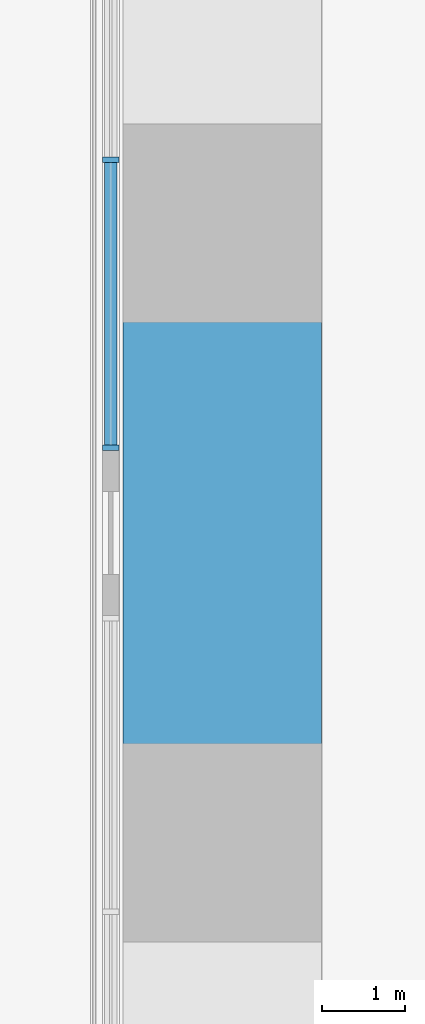
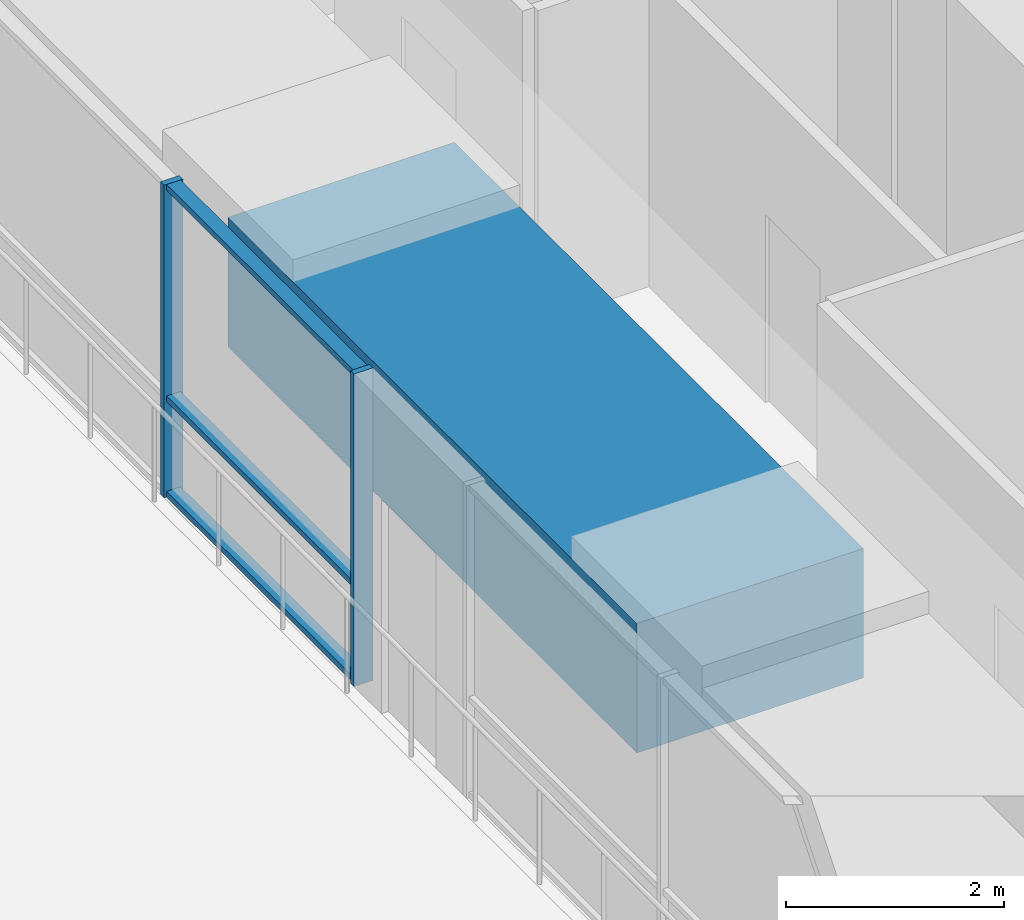
# One storey, part 3 of 17: 5 members, 1 beam, 1 element without a shape of its own.
"""IFC4 building model written with IfcOpenShell, lengths in metres."""

from ifc_helpers import new_model, si_unit, direction, frame, origin, origin_2d, place, context, subcontext, project, spatial, rectangle, extrude, material, material_profile, profile_set, type_object, element, aggregate, save


model = new_model("IFC4")

# Units and contexts
model_context = context("Model", 3, precision=1e-05, world=origin(), true_north=direction((0.0, 1.0)))
body_context = subcontext(model_context, "Body", "Model", "MODEL_VIEW")
ifc_project = project(units=[si_unit("LENGTHUNIT", "METRE"), si_unit("AREAUNIT", "SQUARE_METRE"), si_unit("VOLUMEUNIT", "CUBIC_METRE"), si_unit("PLANEANGLEUNIT", "RADIAN"), si_unit("MASSUNIT", "GRAM", prefix="KILO")], contexts=[model_context])

# Site, building, storey
site_placement = place(None, origin())
site = spatial("IfcSite", under=ifc_project, at=site_placement, CompositionType="ELEMENT")
building_placement = place(site_placement, origin())
building = spatial("IfcBuilding", under=site, at=building_placement, Name="Sheger Commons Tower", CompositionType="ELEMENT")
storey_placement = place(building_placement, frame((0.0, 0.0, 193.699951171875)))
storey = spatial("IfcBuildingStorey", under=building, at=storey_placement, Name="L49", CompositionType="ELEMENT", Elevation=193.699951171875)

# Curtain wall, members
ifc_material_1 = material(Name="Black aluminium curtain wall, dark tinted glazing", Category="aluminium")
curtain_wall_type = type_object("IfcCurtainWallType", Name="CURTAIN WALL CW4 GALLERY", PredefinedType="USERDEFINED", material=ifc_material_1)
curtain_wall_placement = place(storey_placement, origin())
curtain_wall = element("IfcCurtainWall", 1, at=curtain_wall_placement, inside=storey, type_object=curtain_wall_type, Name="Curtain Wall Cw4 Gallery W1 L49", ObjectType="UNITISED CURTAIN WALL", PredefinedType="USERDEFINED")
ifc_material_2 = material(Name="Black anodised aluminium", Category="aluminium")
ifc_material_profile_1 = material_profile(ifc_material_2, rectangle(XDim=0.199951171875, YDim=0.06494140625, at=origin_2d()), Name="AL 65x200")
ifc_profile_set_1 = profile_set([ifc_material_profile_1], Name="Black anodised aluminium")
member_type_1 = type_object("IfcMemberType", Name="MULLION AL 65x200", PredefinedType="MULLION", material=ifc_profile_set_1)
member_1_placement = place(storey_placement, frame((6.449951171875, 30.76708984375, 0.0), z_axis=(0.0, 0.0, 1.0), x_axis=(1.0, 0.0, 0.0)))
member_1 = element("IfcMember", 2, at=member_1_placement, type_object=member_type_1, Name="CW4 mullion 9", PredefinedType="MULLION", context=body_context, shape_type="SweptSolid", body=[
    extrude(rectangle(XDim=0.199951171875, YDim=0.06494140625, at=origin_2d()), origin(), (0.0, 0.0, 1.0), 3.5),
])
member_2_placement = place(storey_placement, frame((6.449951171875, 27.282470703125, 0.0), z_axis=(0.0, 0.0, 1.0), x_axis=(1.0, 0.0, 0.0)))
member_2 = element("IfcMember", 3, at=member_2_placement, type_object=member_type_1, Name="CW4 mullion 10", PredefinedType="MULLION", context=body_context, shape_type="SweptSolid", body=[
    extrude(rectangle(XDim=0.199951171875, YDim=0.06494140625, at=origin_2d()), origin(), (0.0, 0.0, 1.0), 3.5),
])

# Beam
ifc_material_3 = material(Name="Concrete C50/60", Category="concrete")
ifc_material_profile_2 = material_profile(ifc_material_3, rectangle(XDim=2.39990234375, YDim=1.449951171875, at=origin_2d()), Name="RC 2400x1450")
ifc_profile_set_2 = profile_set([ifc_material_profile_2], Name="Concrete C50/60")
beam_type = type_object("IfcBeamType", Name="SPANDREL RC 2400x1450", PredefinedType="SPANDREL", material=ifc_profile_set_2)
beam_placement = place(storey_placement, frame((7.800048828125, 30.0, 2.775146484375), z_axis=(0.0, -1.0, 0.0), x_axis=(1.0, 0.0, 0.0)))
element("IfcBeam", 4, at=beam_placement, inside=storey, type_object=beam_type, Name="Beam 2/E-2/D under L50", PredefinedType="SPANDREL", context=body_context, shape_type="SweptSolid", body=[
    extrude(rectangle(XDim=2.39990234375, YDim=1.449951171875, at=origin_2d()), origin(), (0.0, 0.0, 1.0), 7.5),
])

# Member
ifc_material_4 = material(Name="Black anodised aluminium", Category="aluminium")
ifc_material_profile_3 = material_profile(ifc_material_4, rectangle(XDim=0.14990234375, YDim=0.06494140625, at=origin_2d()), Name="AL 65x150")
ifc_profile_set_3 = profile_set([ifc_material_profile_3], Name="Black anodised aluminium")
member_type_2 = type_object("IfcMemberType", Name="TRANSOM AL 65x150", PredefinedType="USERDEFINED", material=ifc_profile_set_3)
member_3_placement = place(storey_placement, frame((6.449951171875, 30.734619140625, 0.032470703125), z_axis=(0.0, -1.0, 0.0), x_axis=(1.0, 0.0, 0.0)))
member_3 = element("IfcMember", 5, at=member_3_placement, type_object=member_type_2, Name="CW4 transom 9.1", ObjectType="TRANSOM", PredefinedType="USERDEFINED", context=body_context, shape_type="SweptSolid", body=[
    extrude(rectangle(XDim=0.14990234375, YDim=0.06494140625, at=origin_2d()), origin(), (0.0, 0.0, 1.0), 3.419677734375),
])

member_4_placement = place(storey_placement, frame((6.449951171875, 30.734619140625, 1.10009765625), z_axis=(0.0, -1.0, 0.0), x_axis=(1.0, 0.0, 0.0)))
member_4 = element("IfcMember", 6, at=member_4_placement, type_object=member_type_2, Name="CW4 transom 9.2", ObjectType="TRANSOM", PredefinedType="USERDEFINED", context=body_context, shape_type="SweptSolid", body=[
    extrude(rectangle(XDim=0.14990234375, YDim=0.06494140625, at=origin_2d()), origin(), (0.0, 0.0, 1.0), 3.419677734375),
])

member_5_placement = place(storey_placement, frame((6.449951171875, 30.734619140625, 3.467529296875), z_axis=(0.0, -1.0, 0.0), x_axis=(1.0, 0.0, 0.0)))
member_5 = element("IfcMember", 7, at=member_5_placement, type_object=member_type_2, Name="CW4 transom 9.3", ObjectType="TRANSOM", PredefinedType="USERDEFINED", context=body_context, shape_type="SweptSolid", body=[
    extrude(rectangle(XDim=0.14990234375, YDim=0.06494140625, at=origin_2d()), origin(), (0.0, 0.0, 1.0), 3.419677734375),
])

aggregate(curtain_wall, [member_1, member_2, member_3, member_4, member_5])

save(model, "model.ifc")
